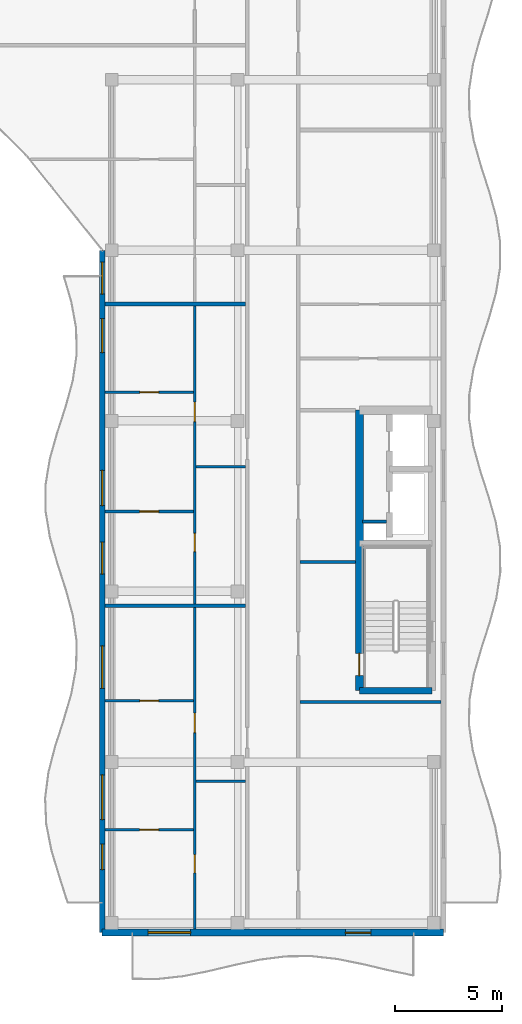
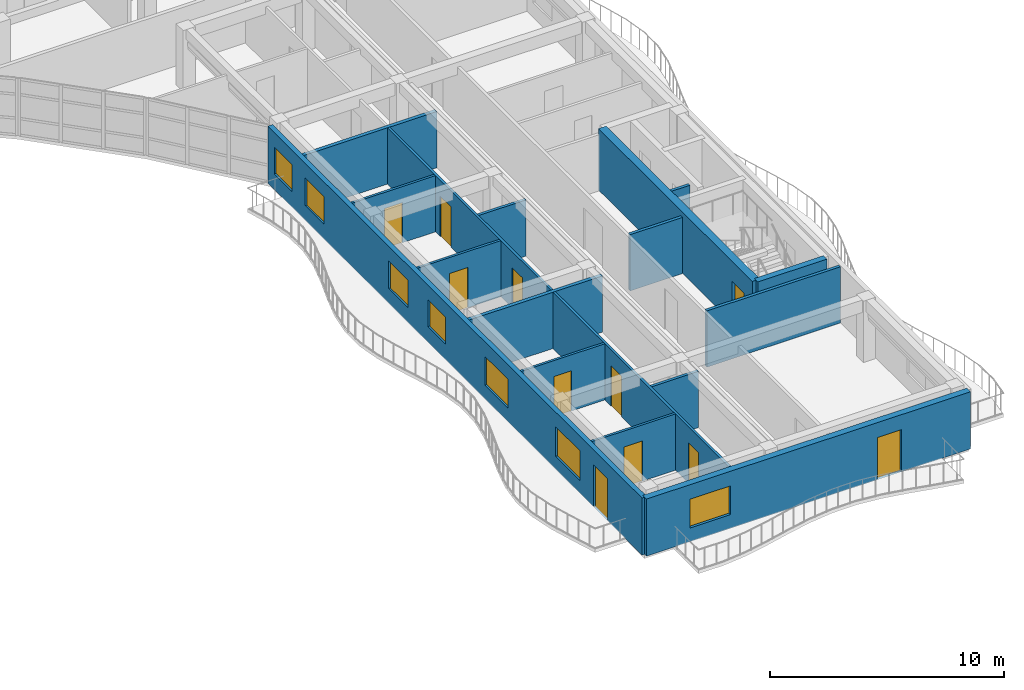
# One storey, part 43 of 76: 17 walls, 11 doors, 7 windows, 18 openings.
"""IFC4 building model written with IfcOpenShell, lengths in metres."""

from ifc_helpers import new_model, si_unit, direction, frame, frame_2d, origin, place, context, subcontext, project, spatial, rectangle, extrude, material, layer, layer_set, type_object, element, fill, save


model = new_model("IFC4")

# Units and contexts
model_context = context("Model", 3, precision=1e-05, world=origin(), true_north=direction((0.0, 1.0)))
body_context = subcontext(model_context, "Body", "Model", "MODEL_VIEW")
ifc_project = project(units=[si_unit("LENGTHUNIT", "METRE"), si_unit("AREAUNIT", "SQUARE_METRE"), si_unit("VOLUMEUNIT", "CUBIC_METRE"), si_unit("PLANEANGLEUNIT", "RADIAN"), si_unit("MASSUNIT", "GRAM", prefix="KILO")], contexts=[model_context])

# Site, building, storey
site_placement = place(None, origin())
site = spatial("IfcSite", under=ifc_project, at=site_placement, CompositionType="ELEMENT")
building_placement = place(site_placement, origin())
building = spatial("IfcBuilding", under=site, at=building_placement, Name="Keldmere Railside Commons", CompositionType="ELEMENT")
storey_placement = place(building_placement, frame((0.0, 0.0, 13.760009765625)))
storey = spatial("IfcBuildingStorey", under=building, at=storey_placement, Name="L04", CompositionType="ELEMENT", Elevation=13.760009765625)

# Walls
ifc_material_1 = material(Name="Acoustic Gypsum Board Partition", Category="gypsum")
ifc_layer_1 = layer(ifc_material_1, 0.179931640625, Name="Acoustic Demising Partition 180")
ifc_layer_set_1 = layer_set([ifc_layer_1], Name="Acoustic Gypsum Board Partition")
wall_type_1 = type_object("IfcWallType", Name="Acoustic Demising Partition 180", PredefinedType="PARTITIONING", material=ifc_layer_set_1)
for number, where, z_axis, x_axis, name in (
    (1, (168.1201171875, 71.330078125, 0.0), (0.0, 0.0, 1.0), (1.0, 0.0, 0.0), "IW-1 IW-L04-1557"),
    (2, (168.1201171875, 85.47998046875, 0.0), (0.0, 0.0, 1.0), (1.0, 0.0, 0.0), "IW-1 IW-L04-1558"),
):
    element("IfcWall", number, at=place(storey_placement, frame(where, z_axis=z_axis, x_axis=x_axis)), inside=storey, type_object=wall_type_1, Name=name, PredefinedType="PARTITIONING", context=body_context, shape_type="SweptSolid", body=[
        extrude(rectangle(XDim=6.599853515625, YDim=0.179931640625, at=frame_2d((3.2998046875, 0.0))), origin(), (0.0, 0.0, 1.0), 2.93505859375),
    ])

# Wall, openings, doors
ifc_layer_2 = layer(ifc_material_1, 0.1201171875, Name="Apartment Interior Partition 120")
ifc_layer_set_2 = layer_set([ifc_layer_2], Name="Acoustic Gypsum Board Partition")
wall_type_2 = type_object("IfcWallType", Name="Apartment Interior Partition 120", PredefinedType="PARTITIONING", material=ifc_layer_set_2)
wall_1_placement = place(storey_placement, frame((172.340087890625, 56.159912109375, 0.0), z_axis=(0.0, 0.0, 1.0), x_axis=(0.0, 1.0, 0.0)))
wall_1 = element("IfcWall", 3, at=wall_1_placement, inside=storey, type_object=wall_type_2, Name="IW-4 IW-L04-1560", PredefinedType="PARTITIONING", context=body_context, shape_type="SweptSolid", body=[
    extrude(rectangle(XDim=15.080078125, YDim=0.1201171875, at=frame_2d((7.5400390625, 0.0))), origin(), (0.0, 0.0, 1.0), 2.93505859375),
])
opening_1_placement = place(wall_1_placement, frame((2.63720703125, 0.0, 0.0)))
opening_1 = element("IfcOpeningElement", 4, at=opening_1_placement, cuts=wall_1, Name="Opening ID-04", PredefinedType="OPENING", context=body_context, shape_type="SweptSolid", body=[
    extrude(rectangle(XDim=0.860107421875, YDim=2.10009765625, at=frame_2d((0.43017578125, 1.050048828125))), frame((0.0, 0.070068359375, 0.0), z_axis=(0.0, -1.0, 0.0), x_axis=(1.0, 0.0, 0.0)), (0.0, 0.0, 1.0), 0.14013671875),
])
opening_2_placement = place(wall_1_placement, frame((9.21923828125, 0.0, 0.0)))
opening_2 = element("IfcOpeningElement", 5, at=opening_2_placement, cuts=wall_1, Name="Opening ID-03", PredefinedType="OPENING", context=body_context, shape_type="SweptSolid", body=[
    extrude(rectangle(XDim=0.919921875, YDim=2.10009765625, at=frame_2d((0.4599609375, 1.050048828125))), frame((0.0, 0.070068359375, 0.0), z_axis=(0.0, -1.0, 0.0), x_axis=(1.0, 0.0, 0.0)), (0.0, 0.0, 1.0), 0.14013671875),
])
ifc_material_2 = material(Name="Engineered Oak Timber", Category="wood")
door_type_1 = type_object("IfcDoorType", Name="Apartment Bathroom Door 860x2100", OperationType="NOTDEFINED", PredefinedType="DOOR", material=ifc_material_2)
door_1_placement = place(opening_1_placement, origin())
door_1 = element("IfcDoor", 6, at=door_1_placement, inside=storey, type_object=door_type_1, Name="ID-04 IDR-L04-1401", OperationType="SINGLE_SWING_LEFT", OverallHeight=2.10009765625, OverallWidth=0.860107421875, PredefinedType="DOOR", context=body_context, shape_type="SweptSolid", body=[
    extrude(rectangle(XDim=0.860107421875, YDim=2.10009765625, at=frame_2d((0.43017578125, 1.050048828125))), frame((0.0, 0.02490234375, 0.0), z_axis=(0.0, -1.0, 0.0), x_axis=(1.0, 0.0, 0.0)), (0.0, 0.0, 1.0), 0.050048828125),
])
fill(opening_1, door_1)
door_type_2 = type_object("IfcDoorType", Name="Kitchen Pocket-Frame Swing Door 920x2100", OperationType="NOTDEFINED", PredefinedType="DOOR", material=ifc_material_2)
door_2_placement = place(opening_2_placement, origin())
door_2 = element("IfcDoor", 7, at=door_2_placement, inside=storey, type_object=door_type_2, Name="ID-03 IDR-L04-1402", OperationType="SINGLE_SWING_RIGHT", OverallHeight=2.10009765625, OverallWidth=0.919921875, PredefinedType="DOOR", context=body_context, shape_type="SweptSolid", body=[
    extrude(rectangle(XDim=0.919921875, YDim=2.10009765625, at=frame_2d((0.4599609375, 1.050048828125))), frame((0.0, 0.02490234375, 0.0), z_axis=(0.0, -1.0, 0.0), x_axis=(1.0, 0.0, 0.0)), (0.0, 0.0, 1.0), 0.050048828125),
])
fill(opening_2, door_2)

# Wall, opening, door
wall_2_placement = place(storey_placement, frame((168.1201171875, 60.830078125, 0.0), z_axis=(0.0, 0.0, 1.0), x_axis=(1.0, 0.0, 0.0)))
wall_2 = element("IfcWall", 8, at=wall_2_placement, inside=storey, type_object=wall_type_2, Name="IW-4 IW-L04-1562", PredefinedType="PARTITIONING", context=body_context, shape_type="SweptSolid", body=[
    extrude(rectangle(XDim=4.159912109375, YDim=0.1201171875, at=frame_2d((2.080078125, 0.0))), origin(), (0.0, 0.0, 1.0), 2.93505859375),
])
opening_3_placement = place(wall_2_placement, frame((1.6298828125, 0.0, 0.0)))
opening_3 = element("IfcOpeningElement", 9, at=opening_3_placement, cuts=wall_2, Name="Opening ID-01", PredefinedType="OPENING", context=body_context, shape_type="SweptSolid", body=[
    extrude(rectangle(XDim=0.89990234375, YDim=2.10009765625, at=frame_2d((0.449951171875, 1.050048828125))), frame((0.0, 0.070068359375, 0.0), z_axis=(0.0, -1.0, 0.0), x_axis=(1.0, 0.0, 0.0)), (0.0, 0.0, 1.0), 0.14013671875),
])
door_type_3 = type_object("IfcDoorType", Name="Primary Bedroom Door 900x2100", OperationType="NOTDEFINED", PredefinedType="DOOR", material=ifc_material_2)
door_3_placement = place(opening_3_placement, origin())
door_3 = element("IfcDoor", 10, at=door_3_placement, inside=storey, type_object=door_type_3, Name="ID-01 IDR-L04-1404", OperationType="SINGLE_SWING_RIGHT", OverallHeight=2.10009765625, OverallWidth=0.89990234375, PredefinedType="DOOR", context=body_context, shape_type="SweptSolid", body=[
    extrude(rectangle(XDim=0.89990234375, YDim=2.10009765625, at=frame_2d((0.449951171875, 1.050048828125))), frame((0.0, 0.02490234375, 0.0), z_axis=(0.0, -1.0, 0.0), x_axis=(1.0, 0.0, 0.0)), (0.0, 0.0, 1.0), 0.050048828125),
])
fill(opening_3, door_3)

wall_3_placement = place(storey_placement, frame((168.1201171875, 66.8701171875, 0.0), z_axis=(0.0, 0.0, 1.0), x_axis=(1.0, 0.0, 0.0)))
wall_3 = element("IfcWall", 11, at=wall_3_placement, inside=storey, type_object=wall_type_2, Name="IW-4 IW-L04-1563", PredefinedType="PARTITIONING", context=body_context, shape_type="SweptSolid", body=[
    extrude(rectangle(XDim=4.159912109375, YDim=0.1201171875, at=frame_2d((2.080078125, 0.0))), origin(), (0.0, 0.0, 1.0), 2.93505859375),
])
opening_4_placement = place(wall_3_placement, frame((1.639892578125, 0.0, 0.0)))
opening_4 = element("IfcOpeningElement", 12, at=opening_4_placement, cuts=wall_3, Name="Opening ID-02", PredefinedType="OPENING", context=body_context, shape_type="SweptSolid", body=[
    extrude(rectangle(XDim=0.8798828125, YDim=2.10009765625, at=frame_2d((0.43994140625, 1.050048828125))), frame((0.0, 0.070068359375, 0.0), z_axis=(0.0, -1.0, 0.0), x_axis=(1.0, 0.0, 0.0)), (0.0, 0.0, 1.0), 0.14013671875),
])
door_type_4 = type_object("IfcDoorType", Name="Secondary Bedroom Door 880x2100", OperationType="NOTDEFINED", PredefinedType="DOOR", material=ifc_material_2)
door_4_placement = place(opening_4_placement, origin())
door_4 = element("IfcDoor", 13, at=door_4_placement, inside=storey, type_object=door_type_4, Name="ID-02 IDR-L04-1405", OperationType="SINGLE_SWING_LEFT", OverallHeight=2.10009765625, OverallWidth=0.8798828125, PredefinedType="DOOR", context=body_context, shape_type="SweptSolid", body=[
    extrude(rectangle(XDim=0.8798828125, YDim=2.10009765625, at=frame_2d((0.43994140625, 1.050048828125))), frame((0.0, 0.02490234375, 0.0), z_axis=(0.0, -1.0, 0.0), x_axis=(1.0, 0.0, 0.0)), (0.0, 0.0, 1.0), 0.050048828125),
])
fill(opening_4, door_4)

# Wall, openings, doors
wall_4_placement = place(storey_placement, frame((172.340087890625, 71.419921875, 0.0), z_axis=(0.0, 0.0, 1.0), x_axis=(0.0, 1.0, 0.0)))
wall_4 = element("IfcWall", 14, at=wall_4_placement, inside=storey, type_object=wall_type_2, Name="IW-4 IW-L04-1564", PredefinedType="PARTITIONING", context=body_context, shape_type="SweptSolid", body=[
    extrude(rectangle(XDim=13.969970703125, YDim=0.1201171875, at=frame_2d((6.98486328125, 0.0))), origin(), (0.0, 0.0, 1.0), 2.93505859375),
])
opening_5_placement = place(wall_4_placement, frame((2.443359375, 0.0, 0.0)))
opening_5 = element("IfcOpeningElement", 15, at=opening_5_placement, cuts=wall_4, Name="Opening ID-04", PredefinedType="OPENING", context=body_context, shape_type="SweptSolid", body=[
    extrude(rectangle(XDim=0.860107421875, YDim=2.10009765625, at=frame_2d((0.43017578125, 1.050048828125))), frame((0.0, 0.070068359375, 0.0), z_axis=(0.0, -1.0, 0.0), x_axis=(1.0, 0.0, 0.0)), (0.0, 0.0, 1.0), 0.14013671875),
])
opening_6_placement = place(wall_4_placement, frame((8.541259765625, 0.0, 0.0)))
opening_6 = element("IfcOpeningElement", 16, at=opening_6_placement, cuts=wall_4, Name="Opening ID-03", PredefinedType="OPENING", context=body_context, shape_type="SweptSolid", body=[
    extrude(rectangle(XDim=0.919921875, YDim=2.10009765625, at=frame_2d((0.4599609375, 1.050048828125))), frame((0.0, 0.070068359375, 0.0), z_axis=(0.0, -1.0, 0.0), x_axis=(1.0, 0.0, 0.0)), (0.0, 0.0, 1.0), 0.14013671875),
])
door_5_placement = place(opening_5_placement, origin())
door_5 = element("IfcDoor", 17, at=door_5_placement, inside=storey, type_object=door_type_1, Name="ID-04 IDR-L04-1406", OperationType="SINGLE_SWING_RIGHT", OverallHeight=2.10009765625, OverallWidth=0.860107421875, PredefinedType="DOOR", context=body_context, shape_type="SweptSolid", body=[
    extrude(rectangle(XDim=0.860107421875, YDim=2.10009765625, at=frame_2d((0.43017578125, 1.050048828125))), frame((0.0, 0.02490234375, 0.0), z_axis=(0.0, -1.0, 0.0), x_axis=(1.0, 0.0, 0.0)), (0.0, 0.0, 1.0), 0.050048828125),
])
fill(opening_5, door_5)
door_6_placement = place(opening_6_placement, origin())
door_6 = element("IfcDoor", 18, at=door_6_placement, inside=storey, type_object=door_type_2, Name="ID-03 IDR-L04-1407", OperationType="SINGLE_SWING_LEFT", OverallHeight=2.10009765625, OverallWidth=0.919921875, PredefinedType="DOOR", context=body_context, shape_type="SweptSolid", body=[
    extrude(rectangle(XDim=0.919921875, YDim=2.10009765625, at=frame_2d((0.4599609375, 1.050048828125))), frame((0.0, 0.02490234375, 0.0), z_axis=(0.0, -1.0, 0.0), x_axis=(1.0, 0.0, 0.0)), (0.0, 0.0, 1.0), 0.050048828125),
])
fill(opening_6, door_6)

# Wall, opening, door
wall_5_placement = place(storey_placement, frame((168.1201171875, 75.75, 0.0), z_axis=(0.0, 0.0, 1.0), x_axis=(1.0, 0.0, 0.0)))
wall_5 = element("IfcWall", 19, at=wall_5_placement, inside=storey, type_object=wall_type_2, Name="IW-4 IW-L04-1566", PredefinedType="PARTITIONING", context=body_context, shape_type="SweptSolid", body=[
    extrude(rectangle(XDim=4.159912109375, YDim=0.1201171875, at=frame_2d((2.080078125, 0.0))), origin(), (0.0, 0.0, 1.0), 2.93505859375),
])
opening_7_placement = place(wall_5_placement, frame((1.6298828125, 0.0, 0.0)))
opening_7 = element("IfcOpeningElement", 20, at=opening_7_placement, cuts=wall_5, Name="Opening ID-01", PredefinedType="OPENING", context=body_context, shape_type="SweptSolid", body=[
    extrude(rectangle(XDim=0.89990234375, YDim=2.10009765625, at=frame_2d((0.449951171875, 1.050048828125))), frame((0.0, 0.070068359375, 0.0), z_axis=(0.0, -1.0, 0.0), x_axis=(1.0, 0.0, 0.0)), (0.0, 0.0, 1.0), 0.14013671875),
])
door_7_placement = place(opening_7_placement, origin())
door_7 = element("IfcDoor", 21, at=door_7_placement, inside=storey, type_object=door_type_3, Name="ID-01 IDR-L04-1409", OperationType="SINGLE_SWING_LEFT", OverallHeight=2.10009765625, OverallWidth=0.89990234375, PredefinedType="DOOR", context=body_context, shape_type="SweptSolid", body=[
    extrude(rectangle(XDim=0.89990234375, YDim=2.10009765625, at=frame_2d((0.449951171875, 1.050048828125))), frame((0.0, 0.02490234375, 0.0), z_axis=(0.0, -1.0, 0.0), x_axis=(1.0, 0.0, 0.0)), (0.0, 0.0, 1.0), 0.050048828125),
])
fill(opening_7, door_7)

wall_6_placement = place(storey_placement, frame((168.1201171875, 81.340087890625, 0.0), z_axis=(0.0, 0.0, 1.0), x_axis=(1.0, 0.0, 0.0)))
wall_6 = element("IfcWall", 22, at=wall_6_placement, inside=storey, type_object=wall_type_2, Name="IW-4 IW-L04-1567", PredefinedType="PARTITIONING", context=body_context, shape_type="SweptSolid", body=[
    extrude(rectangle(XDim=4.159912109375, YDim=0.1201171875, at=frame_2d((2.080078125, 0.0))), origin(), (0.0, 0.0, 1.0), 2.93505859375),
])
opening_8_placement = place(wall_6_placement, frame((1.639892578125, 0.0, 0.0)))
opening_8 = element("IfcOpeningElement", 23, at=opening_8_placement, cuts=wall_6, Name="Opening ID-02", PredefinedType="OPENING", context=body_context, shape_type="SweptSolid", body=[
    extrude(rectangle(XDim=0.8798828125, YDim=2.10009765625, at=frame_2d((0.43994140625, 1.050048828125))), frame((0.0, 0.070068359375, 0.0), z_axis=(0.0, -1.0, 0.0), x_axis=(1.0, 0.0, 0.0)), (0.0, 0.0, 1.0), 0.14013671875),
])
door_8_placement = place(opening_8_placement, origin())
door_8 = element("IfcDoor", 24, at=door_8_placement, inside=storey, type_object=door_type_4, Name="ID-02 IDR-L04-1410", OperationType="SINGLE_SWING_RIGHT", OverallHeight=2.10009765625, OverallWidth=0.8798828125, PredefinedType="DOOR", context=body_context, shape_type="SweptSolid", body=[
    extrude(rectangle(XDim=0.8798828125, YDim=2.10009765625, at=frame_2d((0.43994140625, 1.050048828125))), frame((0.0, 0.02490234375, 0.0), z_axis=(0.0, -1.0, 0.0), x_axis=(1.0, 0.0, 0.0)), (0.0, 0.0, 1.0), 0.050048828125),
])
fill(opening_8, door_8)

ifc_material_3 = material(Name="Concrete H-40 (C40/50)", Category="concrete")
ifc_layer_3 = layer(ifc_material_3, 0.3798828125, Name="Core Shear Wall 380")
ifc_layer_set_3 = layer_set([ifc_layer_3], Name="Concrete H-40 (C40/50)")
wall_type_3 = type_object("IfcWallType", Name="Core Shear Wall 380", PredefinedType="SHEAR", material=ifc_layer_set_3)
wall_7_placement = place(storey_placement, frame((180.06005859375, 67.35009765625, 0.0), z_axis=(0.0, 0.0, 1.0), x_axis=(0.0, 1.0, 0.0)))
wall_7 = element("IfcWall", 25, at=wall_7_placement, inside=storey, type_object=wall_type_3, Name="CW-CORE COREAW-L04-0756", PredefinedType="SHEAR", context=body_context, shape_type="SweptSolid", body=[
    extrude(rectangle(XDim=13.14990234375, YDim=0.3798828125, at=frame_2d((6.574951171875, 0.0))), origin(), (0.0, 0.0, 1.0), 3.199951171875),
])
opening_9_placement = place(wall_7_placement, frame((0.699951171875, 0.0, 0.0)))
opening_9 = element("IfcOpeningElement", 26, at=opening_9_placement, cuts=wall_7, Name="Opening FD-1", PredefinedType="OPENING", context=body_context, shape_type="SweptSolid", body=[
    extrude(rectangle(XDim=1.050048828125, YDim=2.14990234375, at=frame_2d((0.52490234375, 1.074951171875))), frame((0.0, 0.199951171875, 0.0), z_axis=(0.0, -1.0, 0.0), x_axis=(1.0, 0.0, 0.0)), (0.0, 0.0, 1.0), 0.39990234375),
])
ifc_material_4 = material(Name="Steel F-24 (S235)", Category="steel")
door_type_5 = type_object("IfcDoorType", Name="Stair Core Fire Door 1050x2150", OperationType="NOTDEFINED", PredefinedType="DOOR", material=ifc_material_4)
door_9_placement = place(opening_9_placement, origin())
door_9 = element("IfcDoor", 27, at=door_9_placement, inside=storey, type_object=door_type_5, Name="FD-1 A1 L04", OperationType="SINGLE_SWING_LEFT", OverallHeight=2.14990234375, OverallWidth=1.050048828125, PredefinedType="DOOR", context=body_context, shape_type="SweptSolid", body=[
    extrude(rectangle(XDim=1.050048828125, YDim=2.14990234375, at=frame_2d((0.52490234375, 1.074951171875))), frame((0.0, 0.02490234375, 0.0), z_axis=(0.0, -1.0, 0.0), x_axis=(1.0, 0.0, 0.0)), (0.0, 0.0, 1.0), 0.050048828125),
])
fill(opening_9, door_9)

# Wall, openings, door, window
ifc_material_5 = material(Name="Concrete H-35 (C35/45)", Category="concrete")
ifc_layer_4 = layer(ifc_material_5, 0.320068359375, Name="Exterior Shear Wall 320")
ifc_layer_set_4 = layer_set([ifc_layer_4], Name="Concrete H-35 (C35/45)")
wall_type_4 = type_object("IfcWallType", Name="Exterior Shear Wall 320", PredefinedType="SHEAR", material=ifc_layer_set_4)
wall_8_placement = place(storey_placement, frame((184.0, 56.0, 0.0), z_axis=(0.0, 0.0, 1.0), x_axis=(-1.0, 0.0, 0.0)))
wall_8 = element("IfcWall", 28, at=wall_8_placement, inside=storey, type_object=wall_type_4, Name="ESW-2 EXTA-L04-0903", PredefinedType="SHEAR", context=body_context, shape_type="SweptSolid", body=[
    extrude(rectangle(XDim=16.0, YDim=0.320068359375, at=frame_2d((8.0, 0.0))), origin(), (0.0, 0.0, 1.0), 2.97998046875),
])
opening_10_placement = place(wall_8_placement, frame((3.39990234375, 0.0, 0.0)))
opening_10 = element("IfcOpeningElement", 29, at=opening_10_placement, cuts=wall_8, Name="Opening BD-01", PredefinedType="OPENING", context=body_context, shape_type="SweptSolid", body=[
    extrude(rectangle(XDim=1.199951171875, YDim=2.199951171875, at=frame_2d((0.60009765625, 1.10009765625))), frame((0.0, 0.169921875, 0.0), z_axis=(0.0, -1.0, 0.0), x_axis=(1.0, 0.0, 0.0)), (0.0, 0.0, 1.0), 0.340087890625),
])
opening_11_placement = place(wall_8_placement, frame((11.85009765625, 0.0, 0.719970703125)))
opening_11 = element("IfcOpeningElement", 30, at=opening_11_placement, cuts=wall_8, Name="Opening WN-02", PredefinedType="OPENING", context=body_context, shape_type="SweptSolid", body=[
    extrude(rectangle(XDim=2.0, YDim=1.5, at=frame_2d((1.0, 0.75))), frame((0.0, 0.169921875, 0.0), z_axis=(0.0, -1.0, 0.0), x_axis=(1.0, 0.0, 0.0)), (0.0, 0.0, 1.0), 0.340087890625),
])
ifc_material_6 = material(Name="Thermally Broken Aluminium", Category="aluminium")
door_type_6 = type_object("IfcDoorType", Name="Apartment Living Wave-Balcony Glazed Door 1200x2200", OperationType="NOTDEFINED", PredefinedType="DOOR", material=ifc_material_6)
door_10_placement = place(opening_10_placement, origin())
door_10 = element("IfcDoor", 31, at=door_10_placement, inside=storey, type_object=door_type_6, Name="BD-01 DR-L04-0238", OperationType="SINGLE_SWING_RIGHT", OverallHeight=2.199951171875, OverallWidth=1.199951171875, PredefinedType="DOOR", context=body_context, shape_type="SweptSolid", body=[
    extrude(rectangle(XDim=1.199951171875, YDim=2.199951171875, at=frame_2d((0.60009765625, 1.10009765625))), frame((0.0, 0.02490234375, 0.0), z_axis=(0.0, -1.0, 0.0), x_axis=(1.0, 0.0, 0.0)), (0.0, 0.0, 1.0), 0.050048828125),
])
fill(opening_10, door_10)
ifc_material_7 = material(Name="Low-E Insulated Double Glazing", Category="glass")
window_type_1 = type_object("IfcWindowType", Name="Living Room South Casement Window 2000x1500", PartitioningType="SINGLE_PANEL", PredefinedType="WINDOW", material=ifc_material_7)
window_1_placement = place(opening_11_placement, origin())
window_1 = element("IfcWindow", 32, at=window_1_placement, inside=storey, type_object=window_type_1, Name="WN-02 WIN-L04-0644", OverallHeight=1.5, OverallWidth=2.0, PartitioningType="SINGLE_PANEL", PredefinedType="WINDOW", context=body_context, shape_type="SweptSolid", body=[
    extrude(rectangle(XDim=2.0, YDim=1.5, at=frame_2d((1.0, 0.75))), frame((0.0, 0.030029296875, 0.0), z_axis=(0.0, -1.0, 0.0), x_axis=(1.0, 0.0, 0.0)), (0.0, 0.0, 1.0), 0.06005859375),
])
fill(opening_11, window_1)

# Walls
ifc_layer_5 = layer(ifc_material_5, 0.300048828125, Name="Interior Shear Wall 300")
ifc_layer_set_5 = layer_set([ifc_layer_5], Name="Concrete H-35 (C35/45)")
wall_type_5 = type_object("IfcWallType", Name="Interior Shear Wall 300", PredefinedType="SHEAR", material=ifc_layer_set_5)
wall_9_placement = place(storey_placement, frame((183.469970703125, 67.35009765625, 0.0), z_axis=(0.0, 0.0, 1.0), x_axis=(-1.0, 0.0, 0.0)))
element("IfcWall", 33, at=wall_9_placement, inside=storey, type_object=wall_type_5, Name="ISW-2 COREAS-L04-0759", PredefinedType="SHEAR", context=body_context, shape_type="SweptSolid", body=[
    extrude(rectangle(XDim=3.409912109375, YDim=0.300048828125, at=frame_2d((1.705078125, 0.0))), origin(), (0.0, 0.0, 1.0), 3.199951171875),
])
ifc_layer_6 = layer(ifc_material_1, 0.14990234375, Name="Lobby Rated Partition 150")
ifc_layer_set_6 = layer_set([ifc_layer_6], Name="Acoustic Gypsum Board Partition")
wall_type_6 = type_object("IfcWallType", Name="Lobby Rated Partition 150", PredefinedType="PARTITIONING", material=ifc_layer_set_6)
wall_10_placement = place(storey_placement, frame((180.199951171875, 75.280029296875, 0.0), z_axis=(0.0, 0.0, 1.0), x_axis=(1.0, 0.0, 0.0)))
element("IfcWall", 34, at=wall_10_placement, inside=storey, type_object=wall_type_6, Name="IW-3 RSRNA-L04-0763", PredefinedType="PARTITIONING", context=body_context, shape_type="SweptSolid", body=[
    extrude(rectangle(XDim=1.130126953125, YDim=0.14990234375, at=frame_2d((0.56494140625, 0.0))), origin(), (0.0, 0.0, 1.0), 2.949951171875),
])
wall_11_placement = place(storey_placement, frame((177.280029296875, 66.820068359375, 0.0), z_axis=(0.0, 0.0, 1.0), x_axis=(1.0, 0.0, 0.0)))
element("IfcWall", 35, at=wall_11_placement, inside=storey, type_object=wall_type_6, Name="IW-3 IW-L04-1546", PredefinedType="PARTITIONING", context=body_context, shape_type="SweptSolid", body=[
    extrude(rectangle(XDim=6.599853515625, YDim=0.14990234375, at=frame_2d((3.2998046875, 0.0))), origin(), (0.0, 0.0, 1.0), 2.93505859375),
])
wall_12_placement = place(storey_placement, frame((177.280029296875, 73.3798828125, 0.0), z_axis=(0.0, 0.0, 1.0), x_axis=(1.0, 0.0, 0.0)))
element("IfcWall", 36, at=wall_12_placement, inside=storey, type_object=wall_type_6, Name="IW-3 IW-L04-1547", PredefinedType="PARTITIONING", context=body_context, shape_type="SweptSolid", body=[
    extrude(rectangle(XDim=2.590087890625, YDim=0.14990234375, at=frame_2d((1.294921875, 0.0))), origin(), (0.0, 0.0, 1.0), 2.93505859375),
])

# Wall, openings, door, windows
ifc_material_8 = material(Name="Architectural Precast Concrete H-35 (C35/45)", Category="concrete")
ifc_layer_7 = layer(ifc_material_8, 0.239990234375, Name="Sand-Ochre Precast Cavity Wall 240")
ifc_layer_set_7 = layer_set([ifc_layer_7], Name="Architectural Precast Concrete H-35 (C35/45)")
wall_type_7 = type_object("IfcWallType", Name="Sand-Ochre Precast Cavity Wall 240", PredefinedType="SOLIDWALL", material=ifc_layer_set_7)
wall_13_placement = place(storey_placement, frame((168.0, 56.0, 0.0), z_axis=(0.0, 0.0, 1.0), x_axis=(0.0, 1.0, 0.0)))
wall_13 = element("IfcWall", 37, at=wall_13_placement, inside=storey, type_object=wall_type_7, Name="EW-2 EXTA-L04-0908", PredefinedType="SOLIDWALL", context=body_context, shape_type="SweptSolid", body=[
    extrude(rectangle(XDim=32.0, YDim=0.239990234375, at=frame_2d((16.0, 0.0))), origin(), (0.0, 0.0, 1.0), 2.97998046875),
])
opening_12_placement = place(wall_13_placement, frame((2.949951171875, 0.0, 0.0)))
opening_12 = element("IfcOpeningElement", 38, at=opening_12_placement, cuts=wall_13, Name="Opening BD-01", PredefinedType="OPENING", context=body_context, shape_type="SweptSolid", body=[
    extrude(rectangle(XDim=1.199951171875, YDim=2.199951171875, at=frame_2d((0.60009765625, 1.10009765625))), frame((0.0, 0.1298828125, 0.0), z_axis=(0.0, -1.0, 0.0), x_axis=(1.0, 0.0, 0.0)), (0.0, 0.0, 1.0), 0.260009765625),
])
opening_13_placement = place(wall_13_placement, frame((5.300048828125, 0.0, 0.669921875)))
opening_13 = element("IfcOpeningElement", 39, at=opening_13_placement, cuts=wall_13, Name="Opening WN-11", PredefinedType="OPENING", context=body_context, shape_type="SweptSolid", body=[
    extrude(rectangle(XDim=2.10009765625, YDim=1.550048828125, at=frame_2d((1.050048828125, 0.77490234375))), frame((0.0, 0.1298828125, 0.0), z_axis=(0.0, -1.0, 0.0), x_axis=(1.0, 0.0, 0.0)), (0.0, 0.0, 1.0), 0.260009765625),
])
opening_14_placement = place(wall_13_placement, frame((11.449951171875, 0.0, 0.719970703125)))
opening_14 = element("IfcOpeningElement", 40, at=opening_14_placement, cuts=wall_13, Name="Opening WN-02", PredefinedType="OPENING", context=body_context, shape_type="SweptSolid", body=[
    extrude(rectangle(XDim=2.0, YDim=1.5, at=frame_2d((1.0, 0.75))), frame((0.0, 0.1298828125, 0.0), z_axis=(0.0, -1.0, 0.0), x_axis=(1.0, 0.0, 0.0)), (0.0, 0.0, 1.0), 0.260009765625),
])
opening_15_placement = place(wall_13_placement, frame((20.02490234375, 0.0, 0.77001953125)))
opening_15 = element("IfcOpeningElement", 41, at=opening_15_placement, cuts=wall_13, Name="Opening WN-03", PredefinedType="OPENING", context=body_context, shape_type="SweptSolid", body=[
    extrude(rectangle(XDim=1.64990234375, YDim=1.449951171875, at=frame_2d((0.824951171875, 0.72509765625))), frame((0.0, 0.1298828125, 0.0), z_axis=(0.0, -1.0, 0.0), x_axis=(1.0, 0.0, 0.0)), (0.0, 0.0, 1.0), 0.260009765625),
])
opening_16_placement = place(wall_13_placement, frame((27.199951171875, 0.0, 0.77001953125)))
opening_16 = element("IfcOpeningElement", 42, at=opening_16_placement, cuts=wall_13, Name="Opening WN-04", PredefinedType="OPENING", context=body_context, shape_type="SweptSolid", body=[
    extrude(rectangle(XDim=1.60009765625, YDim=1.449951171875, at=frame_2d((0.800048828125, 0.72509765625))), frame((0.0, 0.1298828125, 0.0), z_axis=(0.0, -1.0, 0.0), x_axis=(1.0, 0.0, 0.0)), (0.0, 0.0, 1.0), 0.260009765625),
])
opening_17_placement = place(wall_13_placement, frame((16.81005859375, 0.0, 0.820068359375)))
opening_17 = element("IfcOpeningElement", 43, at=opening_17_placement, cuts=wall_13, Name="Opening WN-06", PredefinedType="OPENING", context=body_context, shape_type="SweptSolid", body=[
    extrude(rectangle(XDim=1.5, YDim=1.39990234375, at=frame_2d((0.75, 0.699951171875))), frame((0.0, 0.1298828125, 0.0), z_axis=(0.0, -1.0, 0.0), x_axis=(1.0, 0.0, 0.0)), (0.0, 0.0, 1.0), 0.260009765625),
])
opening_18_placement = place(wall_13_placement, frame((29.945068359375, 0.0, 0.820068359375)))
opening_18 = element("IfcOpeningElement", 44, at=opening_18_placement, cuts=wall_13, Name="Opening WN-06", PredefinedType="OPENING", context=body_context, shape_type="SweptSolid", body=[
    extrude(rectangle(XDim=1.5, YDim=1.39990234375, at=frame_2d((0.75, 0.699951171875))), frame((0.0, 0.1298828125, 0.0), z_axis=(0.0, -1.0, 0.0), x_axis=(1.0, 0.0, 0.0)), (0.0, 0.0, 1.0), 0.260009765625),
])
door_11_placement = place(opening_12_placement, origin())
door_11 = element("IfcDoor", 45, at=door_11_placement, inside=storey, type_object=door_type_6, Name="BD-01 DR-L04-0243", OperationType="SINGLE_SWING_LEFT", OverallHeight=2.199951171875, OverallWidth=1.199951171875, PredefinedType="DOOR", context=body_context, shape_type="SweptSolid", body=[
    extrude(rectangle(XDim=1.199951171875, YDim=2.199951171875, at=frame_2d((0.60009765625, 1.10009765625))), frame((0.0, 0.02490234375, 0.0), z_axis=(0.0, -1.0, 0.0), x_axis=(1.0, 0.0, 0.0)), (0.0, 0.0, 1.0), 0.050048828125),
])
fill(opening_12, door_11)
window_type_2 = type_object("IfcWindowType", Name="Living Room East Shaded Window 1650x1450", PartitioningType="SINGLE_PANEL", PredefinedType="WINDOW", material=ifc_material_7)
window_2_placement = place(opening_15_placement, origin())
window_2 = element("IfcWindow", 46, at=window_2_placement, inside=storey, type_object=window_type_2, Name="WN-03 WIN-L04-0660", OverallHeight=1.449951171875, OverallWidth=1.64990234375, PartitioningType="SINGLE_PANEL", PredefinedType="WINDOW", context=body_context, shape_type="SweptSolid", body=[
    extrude(rectangle(XDim=1.64990234375, YDim=1.449951171875, at=frame_2d((0.824951171875, 0.72509765625))), frame((0.0, 0.030029296875, 0.0), z_axis=(0.0, -1.0, 0.0), x_axis=(1.0, 0.0, 0.0)), (0.0, 0.0, 1.0), 0.06005859375),
])
fill(opening_15, window_2)
window_3_placement = place(opening_14_placement, origin())
window_3 = element("IfcWindow", 47, at=window_3_placement, inside=storey, type_object=window_type_1, Name="WN-02 WIN-L04-0659", OverallHeight=1.5, OverallWidth=2.0, PartitioningType="SINGLE_PANEL", PredefinedType="WINDOW", context=body_context, shape_type="SweptSolid", body=[
    extrude(rectangle(XDim=2.0, YDim=1.5, at=frame_2d((1.0, 0.75))), frame((0.0, 0.030029296875, 0.0), z_axis=(0.0, -1.0, 0.0), x_axis=(1.0, 0.0, 0.0)), (0.0, 0.0, 1.0), 0.06005859375),
])
fill(opening_14, window_3)
window_type_3 = type_object("IfcWindowType", Name="Living Room West Shaded Window 1600x1450", PartitioningType="SINGLE_PANEL", PredefinedType="WINDOW", material=ifc_material_7)
window_4_placement = place(opening_16_placement, origin())
window_4 = element("IfcWindow", 48, at=window_4_placement, inside=storey, type_object=window_type_3, Name="WN-04 WIN-L04-0661", OverallHeight=1.449951171875, OverallWidth=1.60009765625, PartitioningType="SINGLE_PANEL", PredefinedType="WINDOW", context=body_context, shape_type="SweptSolid", body=[
    extrude(rectangle(XDim=1.60009765625, YDim=1.449951171875, at=frame_2d((0.800048828125, 0.72509765625))), frame((0.0, 0.030029296875, 0.0), z_axis=(0.0, -1.0, 0.0), x_axis=(1.0, 0.0, 0.0)), (0.0, 0.0, 1.0), 0.06005859375),
])
fill(opening_16, window_4)
window_type_4 = type_object("IfcWindowType", Name="Primary Bedroom North Window 1500x1400", PartitioningType="SINGLE_PANEL", PredefinedType="WINDOW", material=ifc_material_7)
window_5_placement = place(opening_17_placement, origin())
window_5 = element("IfcWindow", 49, at=window_5_placement, inside=storey, type_object=window_type_4, Name="WN-06 WIN-L04-9035", OverallHeight=1.39990234375, OverallWidth=1.5, PartitioningType="SINGLE_PANEL", PredefinedType="WINDOW", context=body_context, shape_type="SweptSolid", body=[
    extrude(rectangle(XDim=1.5, YDim=1.39990234375, at=frame_2d((0.75, 0.699951171875))), frame((0.0, 0.030029296875, 0.0), z_axis=(0.0, -1.0, 0.0), x_axis=(1.0, 0.0, 0.0)), (0.0, 0.0, 1.0), 0.06005859375),
])
fill(opening_17, window_5)
window_6_placement = place(opening_18_placement, origin())
window_6 = element("IfcWindow", 50, at=window_6_placement, inside=storey, type_object=window_type_4, Name="WN-06 WIN-L04-9036", OverallHeight=1.39990234375, OverallWidth=1.5, PartitioningType="SINGLE_PANEL", PredefinedType="WINDOW", context=body_context, shape_type="SweptSolid", body=[
    extrude(rectangle(XDim=1.5, YDim=1.39990234375, at=frame_2d((0.75, 0.699951171875))), frame((0.0, 0.030029296875, 0.0), z_axis=(0.0, -1.0, 0.0), x_axis=(1.0, 0.0, 0.0)), (0.0, 0.0, 1.0), 0.06005859375),
])
fill(opening_18, window_6)
window_type_5 = type_object("IfcWindowType", Name="Studio Wide Casement Window 2100x1550", PartitioningType="SINGLE_PANEL", PredefinedType="WINDOW", material=ifc_material_7)
window_7_placement = place(opening_13_placement, origin())
window_7 = element("IfcWindow", 51, at=window_7_placement, inside=storey, type_object=window_type_5, Name="WN-11 WIN-L04-0658", OverallHeight=1.550048828125, OverallWidth=2.10009765625, PartitioningType="SINGLE_PANEL", PredefinedType="WINDOW", context=body_context, shape_type="SweptSolid", body=[
    extrude(rectangle(XDim=2.10009765625, YDim=1.550048828125, at=frame_2d((1.050048828125, 0.77490234375))), frame((0.0, 0.030029296875, 0.0), z_axis=(0.0, -1.0, 0.0), x_axis=(1.0, 0.0, 0.0)), (0.0, 0.0, 1.0), 0.06005859375),
])
fill(opening_13, window_7)

# Walls
ifc_layer_8 = layer(ifc_material_1, 0.139892578125, Name="Wet-Room Sanitary Partition 140")
ifc_layer_set_8 = layer_set([ifc_layer_8], Name="Acoustic Gypsum Board Partition")
wall_type_8 = type_object("IfcWallType", Name="Wet-Room Sanitary Partition 140", PredefinedType="PARTITIONING", material=ifc_layer_set_8)
for number, where, z_axis, x_axis, name in (
    (52, (172.39990234375, 63.10009765625, 0.0), (0.0, 0.0, 1.0), (1.0, 0.0, 0.0), "IW-5 IW-L04-1561"),
    (53, (172.39990234375, 77.85009765625, 0.0), (0.0, 0.0, 1.0), (1.0, 0.0, 0.0), "IW-5 IW-L04-1565"),
):
    element("IfcWall", number, at=place(storey_placement, frame(where, z_axis=z_axis, x_axis=x_axis)), inside=storey, type_object=wall_type_8, Name=name, PredefinedType="PARTITIONING", context=body_context, shape_type="SweptSolid", body=[
        extrude(rectangle(XDim=2.320068359375, YDim=0.139892578125, at=frame_2d((1.16015625, 0.0))), origin(), (0.0, 0.0, 1.0), 2.93505859375),
    ])

save(model, "model.ifc")
